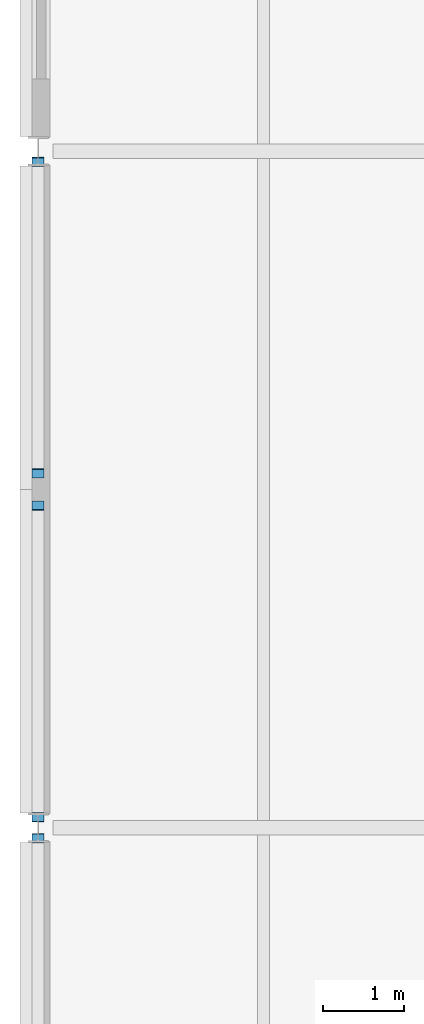
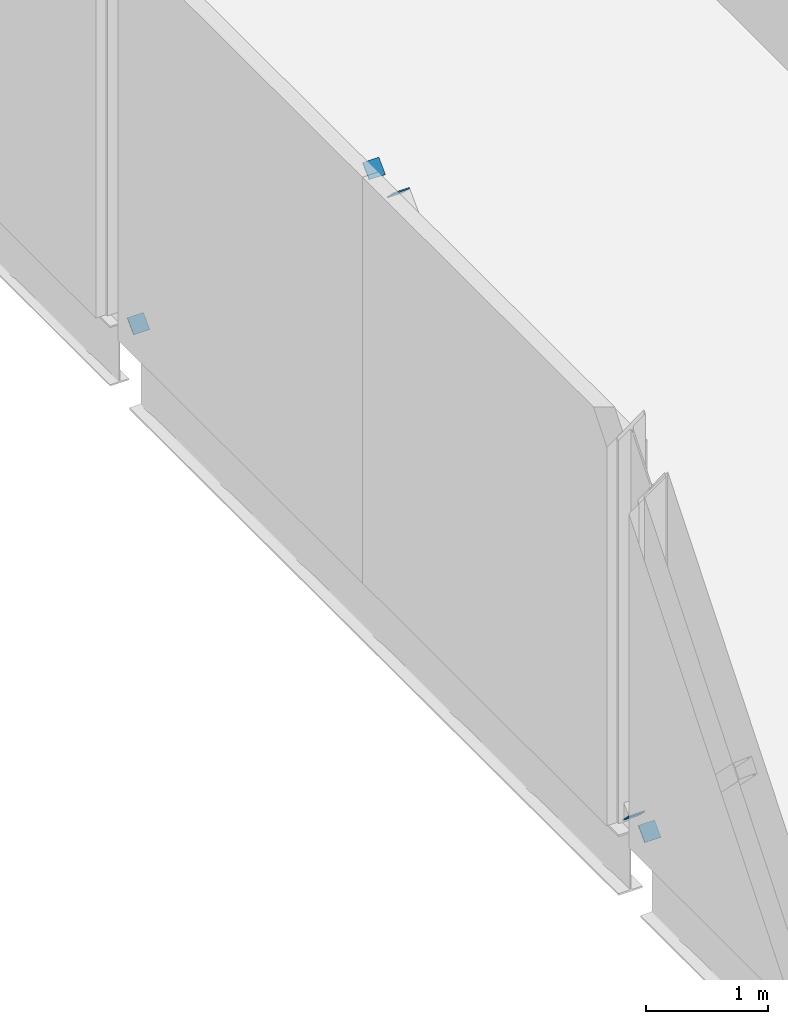
# One storey, part 21 of 26: 5 discrete accessories.
"""IFC4 building model written with IfcOpenShell, lengths in metres."""

from ifc_helpers import new_model, si_unit, direction, frame, origin, origin_2d, place, context, subcontext, project, spatial, rectangle, extrude, material, element, save


model = new_model("IFC4")

# Units and contexts
model_context = context("Model", 3, precision=1e-05, world=origin(), true_north=direction((0.0, 1.0)))
body_context = subcontext(model_context, "Body", "Model", "MODEL_VIEW")
ifc_project = project(units=[si_unit("LENGTHUNIT", "METRE"), si_unit("AREAUNIT", "SQUARE_METRE"), si_unit("VOLUMEUNIT", "CUBIC_METRE"), si_unit("PLANEANGLEUNIT", "RADIAN"), si_unit("MASSUNIT", "GRAM", prefix="KILO")], contexts=[model_context])

# Site, building, storey
site_placement = place(None, origin())
site = spatial("IfcSite", under=ifc_project, at=site_placement, CompositionType="ELEMENT")
building_placement = place(site_placement, origin())
building = spatial("IfcBuilding", under=site, at=building_placement, Name="Hlaing Beacon Police Headquarters", CompositionType="ELEMENT")
storey_placement = place(building_placement, frame((0.0, 0.0, 23.39990234375)))
storey = spatial("IfcBuildingStorey", under=building, at=storey_placement, Name="L05", CompositionType="ELEMENT", Elevation=23.39990234375)

# Discrete accessories
ifc_material = material(Name="Steel ASTM A572 Grade 50", Category="steel")
for number, where, z_axis, x_axis, name in (
    (1, (8.39990234375, 50.265869140625, 0.058349609375), (0.0, 0.704124468733, -0.710076568077), (-1.0, 0.0, 0.0), "Gusset plate GP-171"),
    (2, (8.39990234375, 50.5341796875, 0.058349609375), (0.0, -0.70410207141, -0.710098776958), (1.0, 0.0, 0.0), "Gusset plate GP-173"),
    (3, (8.39990234375, 54.3955078125, 3.95263671875), (0.0, 0.70410207141, 0.710098776958), (-1.0, 0.0, 0.0), "Gusset plate GP-174"),
    (4, (8.39990234375, 58.665771484375, 0.058349609375), (0.0, 0.70410207141, -0.710098776958), (-1.0, 0.0, 0.0), "Gusset plate GP-175"),
    (5, (8.39990234375, 54.804443359375, 3.95263671875), (0.0, -0.70410207141, 0.710098776958), (1.0, 0.0, 0.0), "Gusset plate GP-176"),
):
    element("IfcDiscreteAccessory", number, at=place(storey_placement, frame(where, z_axis=z_axis, x_axis=x_axis)), inside=storey, material=ifc_material, Name=name, PredefinedType="BRACKET", context=body_context, shape_type="SweptSolid", body=[
        extrude(rectangle(XDim=0.15234375, YDim=0.15234375, at=origin_2d()), origin(), (0.0, 0.0, 1.0), 0.011962890625),
    ])

save(model, "model.ifc")
